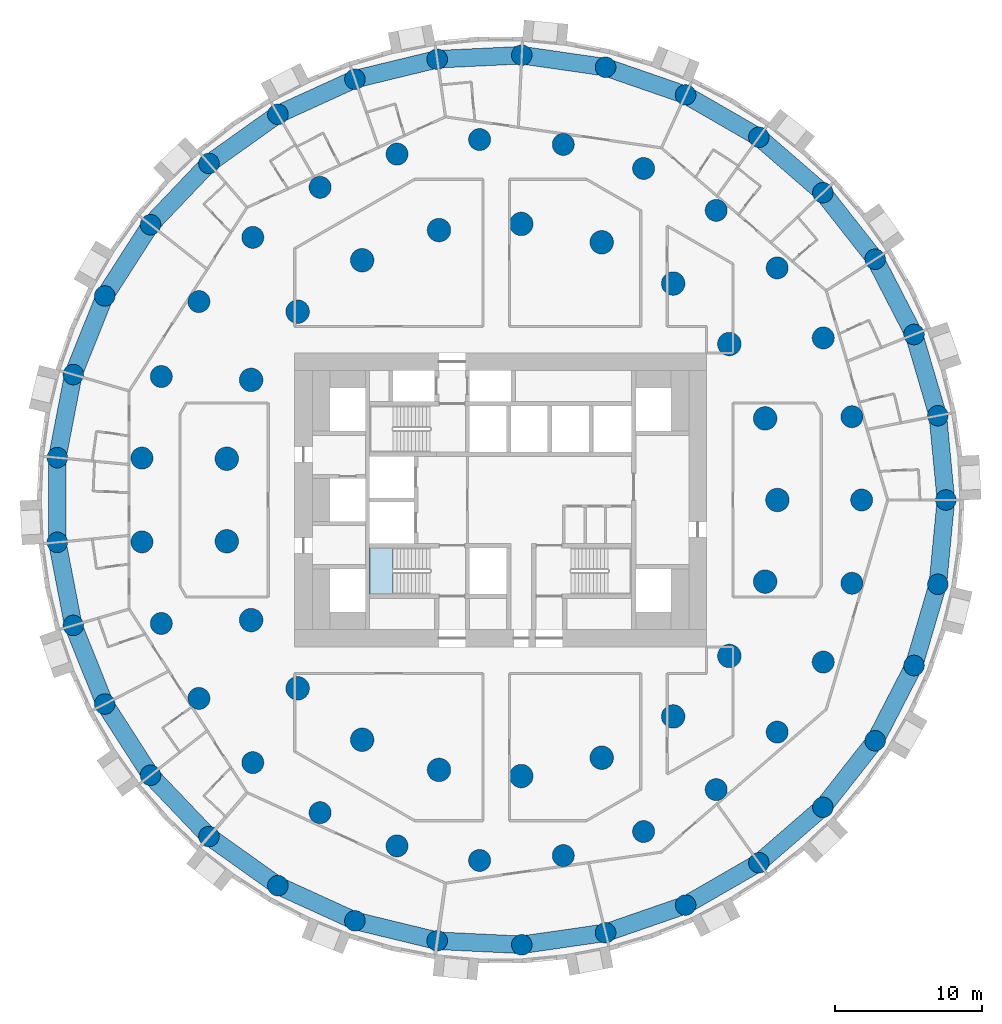
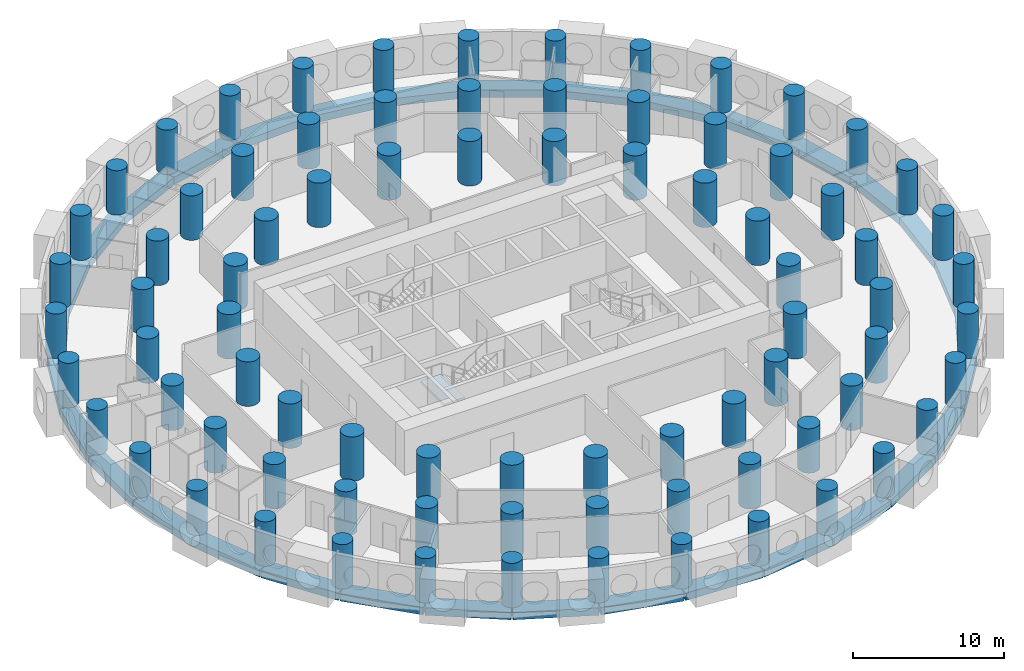
# One storey, part 1 of 12: 81 columns, 33 beams, 1 slab, 1 element without a shape of its own.
"""IFC4 building model written with IfcOpenShell, lengths in metres."""

from ifc_helpers import new_model, si_unit, direction, frame, origin, origin_2d, place, context, subcontext, project, spatial, polyline, rectangle, circle, outline, extrude, material, layer, layer_set, material_profile, profile_set, type_object, element, aggregate, save


model = new_model("IFC4")

# Units and contexts
model_context = context("Model", 3, precision=1e-05, world=origin(), true_north=direction((0.0, 1.0)))
body_context = subcontext(model_context, "Body", "Model", "MODEL_VIEW")
ifc_project = project(units=[si_unit("LENGTHUNIT", "METRE"), si_unit("AREAUNIT", "SQUARE_METRE"), si_unit("VOLUMEUNIT", "CUBIC_METRE"), si_unit("PLANEANGLEUNIT", "RADIAN"), si_unit("MASSUNIT", "GRAM", prefix="KILO")], contexts=[model_context])

# Site, building, storey
site_placement = place(None, origin())
site = spatial("IfcSite", under=ifc_project, at=site_placement, CompositionType="ELEMENT")
building_placement = place(site_placement, origin())
building = spatial("IfcBuilding", under=site, at=building_placement, Name="Tracery Tower", CompositionType="ELEMENT")
storey_placement = place(building_placement, frame((0.0, 0.0, 31.800048828125)))
storey = spatial("IfcBuildingStorey", under=building, at=storey_placement, Name="L06", CompositionType="ELEMENT", Elevation=31.800048828125)

# Columns
ifc_material_1 = material(Name="Concrete C60/75", Category="concrete")
ifc_material_profile_1 = material_profile(ifc_material_1, circle(Radius=0.699951171875, at=origin_2d()), Name="RC D1400")
ifc_profile_set_1 = profile_set([ifc_material_profile_1], Name="Concrete C60/75")
column_type_1 = type_object("IfcColumnType", Name="Ring 0 column 1400", PredefinedType="COLUMN", material=ifc_profile_set_1)
for number, where, z_axis, x_axis, name in (
    (1, (30.274658203125, 0.0, 0.0), (0.0, 0.0, 1.0), (1.0, 0.0, 0.0), "Ring 0 column 00 at L06"),
    (2, (29.7275390625, 5.7294921875, 0.0), (0.0, 0.0, 1.0), (1.0, 0.0, 0.0), "Ring 0 column 01 at L06"),
    (3, (28.10595703125, 11.251953125, 0.0), (0.0, 0.0, 1.0), (1.0, 0.0, 0.0), "Ring 0 column 02 at L06"),
    (4, (25.468505859375, 16.36767578125, 0.0), (0.0, 0.0, 1.0), (1.0, 0.0, 0.0), "Ring 0 column 03 at L06"),
    (5, (21.910888671875, 20.891845703125, 0.0), (0.0, 0.0, 1.0), (1.0, 0.0, 0.0), "Ring 0 column 04 at L06"),
    (6, (17.56103515625, 24.660888671875, 0.0), (0.0, 0.0, 1.0), (1.0, 0.0, 0.0), "Ring 0 column 05 at L06"),
    (7, (12.576416015625, 27.538818359375, 0.0), (0.0, 0.0, 1.0), (1.0, 0.0, 0.0), "Ring 0 column 06 at L06"),
    (8, (7.137451171875, 29.421142578125, 0.0), (0.0, 0.0, 1.0), (1.0, 0.0, 0.0), "Ring 0 column 07 at L06"),
    (9, (1.4404296875, 30.240234375, 0.0), (0.0, 0.0, 1.0), (1.0, 0.0, 0.0), "Ring 0 column 08 at L06"),
    (10, (-4.30859375, 29.96630859375, 0.0), (0.0, 0.0, 1.0), (1.0, 0.0, 0.0), "Ring 0 column 09 at L06"),
    (11, (-9.90185546875, 28.609619140625, 0.0), (0.0, 0.0, 1.0), (1.0, 0.0, 0.0), "Ring 0 column 10 at L06"),
    (12, (-15.13720703125, 26.218505859375, 0.0), (0.0, 0.0, 1.0), (1.0, 0.0, 0.0), "Ring 0 column 11 at L06"),
    (13, (-19.82568359375, 22.8798828125, 0.0), (0.0, 0.0, 1.0), (1.0, 0.0, 0.0), "Ring 0 column 12 at L06"),
    (14, (-23.79736328125, 18.714599609375, 0.0), (0.0, 0.0, 1.0), (1.0, 0.0, 0.0), "Ring 0 column 13 at L06"),
    (15, (-26.9091796875, 13.87255859375, 0.0), (0.0, 0.0, 1.0), (1.0, 0.0, 0.0), "Ring 0 column 14 at L06"),
    (16, (-29.04833984375, 8.529296875, 0.0), (0.0, 0.0, 1.0), (1.0, 0.0, 0.0), "Ring 0 column 15 at L06"),
    (17, (-30.137451171875, 2.877685546875, 0.0), (0.0, 0.0, 1.0), (1.0, 0.0, 0.0), "Ring 0 column 16 at L06"),
    (18, (-30.137451171875, -2.877685546875, 0.0), (0.0, 0.0, 1.0), (1.0, 0.0, 0.0), "Ring 0 column 17 at L06"),
    (19, (-29.04833984375, -8.529296875, 0.0), (0.0, 0.0, 1.0), (1.0, 0.0, 0.0), "Ring 0 column 18 at L06"),
    (20, (-26.9091796875, -13.87255859375, 0.0), (0.0, 0.0, 1.0), (1.0, 0.0, 0.0), "Ring 0 column 19 at L06"),
    (21, (-23.79736328125, -18.714599609375, 0.0), (0.0, 0.0, 1.0), (1.0, 0.0, 0.0), "Ring 0 column 20 at L06"),
    (22, (-19.82568359375, -22.8798828125, 0.0), (0.0, 0.0, 1.0), (1.0, 0.0, 0.0), "Ring 0 column 21 at L06"),
    (23, (-15.13720703125, -26.218505859375, 0.0), (0.0, 0.0, 1.0), (1.0, 0.0, 0.0), "Ring 0 column 22 at L06"),
    (24, (-9.90185546875, -28.609619140625, 0.0), (0.0, 0.0, 1.0), (1.0, 0.0, 0.0), "Ring 0 column 23 at L06"),
    (25, (-4.30859375, -29.96630859375, 0.0), (0.0, 0.0, 1.0), (1.0, 0.0, 0.0), "Ring 0 column 24 at L06"),
    (26, (1.4404296875, -30.240234375, 0.0), (0.0, 0.0, 1.0), (1.0, 0.0, 0.0), "Ring 0 column 25 at L06"),
    (27, (7.137451171875, -29.421142578125, 0.0), (0.0, 0.0, 1.0), (1.0, 0.0, 0.0), "Ring 0 column 26 at L06"),
    (28, (12.576416015625, -27.538818359375, 0.0), (0.0, 0.0, 1.0), (1.0, 0.0, 0.0), "Ring 0 column 27 at L06"),
    (29, (17.56103515625, -24.660888671875, 0.0), (0.0, 0.0, 1.0), (1.0, 0.0, 0.0), "Ring 0 column 28 at L06"),
    (30, (21.910888671875, -20.891845703125, 0.0), (0.0, 0.0, 1.0), (1.0, 0.0, 0.0), "Ring 0 column 29 at L06"),
    (31, (25.468505859375, -16.36767578125, 0.0), (0.0, 0.0, 1.0), (1.0, 0.0, 0.0), "Ring 0 column 30 at L06"),
    (32, (28.10595703125, -11.251953125, 0.0), (0.0, 0.0, 1.0), (1.0, 0.0, 0.0), "Ring 0 column 31 at L06"),
    (33, (29.7275390625, -5.7294921875, 0.0), (0.0, 0.0, 1.0), (1.0, 0.0, 0.0), "Ring 0 column 32 at L06"),
):
    element("IfcColumn", number, at=place(storey_placement, frame(where, z_axis=z_axis, x_axis=x_axis)), inside=storey, type_object=column_type_1, Name=name, PredefinedType="COLUMN", context=body_context, shape_type="SweptSolid", body=[
        extrude(circle(Radius=0.699951171875, at=origin_2d()), origin(), (0.0, 0.0, 1.0), 3.599853515625),
    ])
ifc_material_2 = material(Name="Concrete C60/75", Category="concrete")
ifc_material_profile_2 = material_profile(ifc_material_2, circle(Radius=0.75, at=origin_2d()), Name="RC D1500")
ifc_profile_set_2 = profile_set([ifc_material_profile_2], Name="Concrete C60/75")
column_type_2 = type_object("IfcColumnType", Name="Ring 1 column 1500", PredefinedType="COLUMN", material=ifc_profile_set_2)
for number, where, z_axis, x_axis, name in (
    (34, (24.547607421875, 0.0, 0.0), (0.0, 0.0, 1.0), (1.0, 0.0, 0.0), "Ring 1 column 00 at L06"),
    (35, (23.885986328125, 5.6611328125, 0.0), (0.0, 0.0, 1.0), (1.0, 0.0, 0.0), "Ring 1 column 01 at L06"),
    (36, (21.9365234375, 11.01708984375, 0.0), (0.0, 0.0, 1.0), (1.0, 0.0, 0.0), "Ring 1 column 02 at L06"),
    (37, (18.8046875, 15.779052734375, 0.0), (0.0, 0.0, 1.0), (1.0, 0.0, 0.0), "Ring 1 column 03 at L06"),
    (38, (14.658935546875, 19.690185546875, 0.0), (0.0, 0.0, 1.0), (1.0, 0.0, 0.0), "Ring 1 column 04 at L06"),
    (39, (9.722900390625, 22.5400390625, 0.0), (0.0, 0.0, 1.0), (1.0, 0.0, 0.0), "Ring 1 column 05 at L06"),
    (40, (4.2626953125, 24.1748046875, 0.0), (0.0, 0.0, 1.0), (1.0, 0.0, 0.0), "Ring 1 column 06 at L06"),
    (41, (-1.42724609375, 24.506103515625, 0.0), (0.0, 0.0, 1.0), (1.0, 0.0, 0.0), "Ring 1 column 07 at L06"),
    (42, (-7.040283203125, 23.516357421875, 0.0), (0.0, 0.0, 1.0), (1.0, 0.0, 0.0), "Ring 1 column 08 at L06"),
    (43, (-12.273681640625, 21.2587890625, 0.0), (0.0, 0.0, 1.0), (1.0, 0.0, 0.0), "Ring 1 column 09 at L06"),
    (44, (-16.845703125, 17.855224609375, 0.0), (0.0, 0.0, 1.0), (1.0, 0.0, 0.0), "Ring 1 column 10 at L06"),
    (45, (-20.50927734375, 13.4892578125, 0.0), (0.0, 0.0, 1.0), (1.0, 0.0, 0.0), "Ring 1 column 11 at L06"),
    (46, (-23.0673828125, 8.395751953125, 0.0), (0.0, 0.0, 1.0), (1.0, 0.0, 0.0), "Ring 1 column 12 at L06"),
    (47, (-24.381591796875, 2.849853515625, 0.0), (0.0, 0.0, 1.0), (1.0, 0.0, 0.0), "Ring 1 column 13 at L06"),
    (48, (-24.381591796875, -2.849853515625, 0.0), (0.0, 0.0, 1.0), (1.0, 0.0, 0.0), "Ring 1 column 14 at L06"),
    (49, (-23.0673828125, -8.395751953125, 0.0), (0.0, 0.0, 1.0), (1.0, 0.0, 0.0), "Ring 1 column 15 at L06"),
    (50, (-20.50927734375, -13.4892578125, 0.0), (0.0, 0.0, 1.0), (1.0, 0.0, 0.0), "Ring 1 column 16 at L06"),
    (51, (-16.845703125, -17.85546875, 0.0), (0.0, 0.0, 1.0), (1.0, 0.0, 0.0), "Ring 1 column 17 at L06"),
    (52, (-12.27392578125, -21.2587890625, 0.0), (0.0, 0.0, 1.0), (1.0, 0.0, 0.0), "Ring 1 column 18 at L06"),
    (53, (-7.040283203125, -23.516357421875, 0.0), (0.0, 0.0, 1.0), (1.0, 0.0, 0.0), "Ring 1 column 19 at L06"),
    (54, (-1.42724609375, -24.506103515625, 0.0), (0.0, 0.0, 1.0), (1.0, 0.0, 0.0), "Ring 1 column 20 at L06"),
    (55, (4.2626953125, -24.1748046875, 0.0), (0.0, 0.0, 1.0), (1.0, 0.0, 0.0), "Ring 1 column 21 at L06"),
    (56, (9.722900390625, -22.5400390625, 0.0), (0.0, 0.0, 1.0), (1.0, 0.0, 0.0), "Ring 1 column 22 at L06"),
    (57, (14.658935546875, -19.690185546875, 0.0), (0.0, 0.0, 1.0), (1.0, 0.0, 0.0), "Ring 1 column 23 at L06"),
    (58, (18.8046875, -15.779052734375, 0.0), (0.0, 0.0, 1.0), (1.0, 0.0, 0.0), "Ring 1 column 24 at L06"),
    (59, (21.9365234375, -11.01708984375, 0.0), (0.0, 0.0, 1.0), (1.0, 0.0, 0.0), "Ring 1 column 25 at L06"),
    (60, (23.885986328125, -5.6611328125, 0.0), (0.0, 0.0, 1.0), (1.0, 0.0, 0.0), "Ring 1 column 26 at L06"),
):
    element("IfcColumn", number, at=place(storey_placement, frame(where, z_axis=z_axis, x_axis=x_axis)), inside=storey, type_object=column_type_2, Name=name, PredefinedType="COLUMN", context=body_context, shape_type="SweptSolid", body=[
        extrude(circle(Radius=0.75, at=origin_2d()), origin(), (0.0, 0.0, 1.0), 3.599853515625),
    ])
ifc_material_3 = material(Name="Concrete C60/75", Category="concrete")
ifc_material_profile_3 = material_profile(ifc_material_3, circle(Radius=0.800048828125, at=origin_2d()), Name="RC D1600")
ifc_profile_set_3 = profile_set([ifc_material_profile_3], Name="Concrete C60/75")
column_type_3 = type_object("IfcColumnType", Name="Ring 2 column 1600", PredefinedType="COLUMN", material=ifc_profile_set_3)
for number, where, z_axis, x_axis, name in (
    (61, (18.822265625, 0.0, 0.0), (0.0, 0.0, 1.0), (1.0, 0.0, 0.0), "Ring 2 column 00 at L06"),
    (62, (17.986083984375, 5.5478515625, 0.0), (0.0, 0.0, 1.0), (1.0, 0.0, 0.0), "Ring 2 column 01 at L06"),
    (63, (15.551513671875, 10.602783203125, 0.0), (0.0, 0.0, 1.0), (1.0, 0.0, 0.0), "Ring 2 column 02 at L06"),
    (64, (11.7353515625, 14.7158203125, 0.0), (0.0, 0.0, 1.0), (1.0, 0.0, 0.0), "Ring 2 column 03 at L06"),
    (65, (6.87646484375, 17.52099609375, 0.0), (0.0, 0.0, 1.0), (1.0, 0.0, 0.0), "Ring 2 column 04 at L06"),
    (66, (1.406494140625, 18.76953125, 0.0), (0.0, 0.0, 1.0), (1.0, 0.0, 0.0), "Ring 2 column 05 at L06"),
    (67, (-4.188232421875, 18.350341796875, 0.0), (0.0, 0.0, 1.0), (1.0, 0.0, 0.0), "Ring 2 column 06 at L06"),
    (68, (-9.4111328125, 16.300537109375, 0.0), (0.0, 0.0, 1.0), (1.0, 0.0, 0.0), "Ring 2 column 07 at L06"),
    (69, (-13.797607421875, 12.802490234375, 0.0), (0.0, 0.0, 1.0), (1.0, 0.0, 0.0), "Ring 2 column 08 at L06"),
    (70, (-16.958251953125, 8.16650390625, 0.0), (0.0, 0.0, 1.0), (1.0, 0.0, 0.0), "Ring 2 column 09 at L06"),
    (71, (-18.612060546875, 2.805419921875, 0.0), (0.0, 0.0, 1.0), (1.0, 0.0, 0.0), "Ring 2 column 10 at L06"),
    (72, (-18.612060546875, -2.805419921875, 0.0), (0.0, 0.0, 1.0), (1.0, 0.0, 0.0), "Ring 2 column 11 at L06"),
    (73, (-16.958251953125, -8.166748046875, 0.0), (0.0, 0.0, 1.0), (1.0, 0.0, 0.0), "Ring 2 column 12 at L06"),
    (74, (-13.797607421875, -12.80224609375, 0.0), (0.0, 0.0, 1.0), (1.0, 0.0, 0.0), "Ring 2 column 13 at L06"),
    (75, (-9.4111328125, -16.300537109375, 0.0), (0.0, 0.0, 1.0), (1.0, 0.0, 0.0), "Ring 2 column 14 at L06"),
    (76, (-4.188232421875, -18.350341796875, 0.0), (0.0, 0.0, 1.0), (1.0, 0.0, 0.0), "Ring 2 column 15 at L06"),
    (77, (1.406494140625, -18.76953125, 0.0), (0.0, 0.0, 1.0), (1.0, 0.0, 0.0), "Ring 2 column 16 at L06"),
    (78, (6.87646484375, -17.52099609375, 0.0), (0.0, 0.0, 1.0), (1.0, 0.0, 0.0), "Ring 2 column 17 at L06"),
    (79, (11.7353515625, -14.7158203125, 0.0), (0.0, 0.0, 1.0), (1.0, 0.0, 0.0), "Ring 2 column 18 at L06"),
    (80, (15.551513671875, -10.602783203125, 0.0), (0.0, 0.0, 1.0), (1.0, 0.0, 0.0), "Ring 2 column 19 at L06"),
    (81, (17.986083984375, -5.5478515625, 0.0), (0.0, 0.0, 1.0), (1.0, 0.0, 0.0), "Ring 2 column 20 at L06"),
):
    element("IfcColumn", number, at=place(storey_placement, frame(where, z_axis=z_axis, x_axis=x_axis)), inside=storey, type_object=column_type_3, Name=name, PredefinedType="COLUMN", context=body_context, shape_type="SweptSolid", body=[
        extrude(circle(Radius=0.800048828125, at=origin_2d()), origin(), (0.0, 0.0, 1.0), 3.599853515625),
    ])

# Beams
ifc_material_4 = material(Name="Concrete C60/75", Category="concrete")
ifc_material_profile_4 = material_profile(ifc_material_4, rectangle(XDim=1.199951171875, YDim=0.60009765625, at=origin_2d()), Name="RC 1200x600")
ifc_profile_set_4 = profile_set([ifc_material_profile_4], Name="Concrete C60/75")
beam_type = type_object("IfcBeamType", Name="Perimeter band beam 1200x600", PredefinedType="BEAM", material=ifc_profile_set_4)
for number, where, z_axis, x_axis, name in (
    (82, (30.274658203125, 0.0, -0.75), (-0.095059309677, 0.995471610667, 0.0), (-0.995471610667, -0.095059309677, 0.0), "Perimeter beam 0.00 under L06"),
    (83, (29.7275390625, 5.7294921875, -0.75), (-0.281739145896, 0.959491038869, 0.0), (-0.959491038869, -0.281739145896, 0.0), "Perimeter beam 0.01 under L06"),
    (84, (28.10595703125, 11.251953125, -0.75), (-0.458242010493, 0.88882746347, 0.0), (-0.88882746347, -0.458242010493, 0.0), "Perimeter beam 0.02 under L06"),
):
    element("IfcBeam", number, at=place(storey_placement, frame(where, z_axis=z_axis, x_axis=x_axis)), inside=storey, type_object=beam_type, Name=name, PredefinedType="BEAM", context=body_context, shape_type="SweptSolid", body=[
        extrude(rectangle(XDim=1.199951171875, YDim=0.60009765625, at=origin_2d()), origin(), (0.0, 0.0, 1.0), 5.755615234375),
    ])
beam_1_placement = place(storey_placement, frame((25.468505859375, 16.36767578125, -0.75), z_axis=(-0.618134362257, 0.786072458618, 0.0), x_axis=(-0.786072458618, -0.618134362257, 0.0)))
element("IfcBeam", 85, at=beam_1_placement, inside=storey, type_object=beam_type, Name="Perimeter beam 0.03 under L06", PredefinedType="BEAM", context=body_context, shape_type="SweptSolid", body=[
    extrude(rectangle(XDim=1.199951171875, YDim=0.60009765625, at=origin_2d()), origin(), (0.0, 0.0, 1.0), 5.75537109375),
])
beam_2_placement = place(storey_placement, frame((21.910888671875, 20.891845703125, -0.75), z_axis=(-0.755760456715, 0.65484817482, 0.0), x_axis=(-0.65484817482, -0.755760456715, 0.0)))
element("IfcBeam", 86, at=beam_2_placement, inside=storey, type_object=beam_type, Name="Perimeter beam 0.04 under L06", PredefinedType="BEAM", context=body_context, shape_type="SweptSolid", body=[
    extrude(rectangle(XDim=1.199951171875, YDim=0.60009765625, at=origin_2d()), origin(), (0.0, 0.0, 1.0), 5.755615234375),
])
beam_3_placement = place(storey_placement, frame((17.56103515625, 24.660888671875, -0.75), z_axis=(-0.866021003874, 0.50000762079, 0.0), x_axis=(-0.50000762079, -0.866021003874, 0.0)))
element("IfcBeam", 87, at=beam_3_placement, inside=storey, type_object=beam_type, Name="Perimeter beam 0.05 under L06", PredefinedType="BEAM", context=body_context, shape_type="SweptSolid", body=[
    extrude(rectangle(XDim=1.199951171875, YDim=0.60009765625, at=origin_2d()), origin(), (0.0, 0.0, 1.0), 5.755859375),
])
beam_4_placement = place(storey_placement, frame((12.576416015625, 27.538818359375, -0.75), z_axis=(-0.945007252869, 0.327049372458, 0.0), x_axis=(-0.327049372458, -0.945007252869, 0.0)))
element("IfcBeam", 88, at=beam_4_placement, inside=storey, type_object=beam_type, Name="Perimeter beam 0.06 under L06", PredefinedType="BEAM", context=body_context, shape_type="SweptSolid", body=[
    extrude(rectangle(XDim=1.199951171875, YDim=0.60009765625, at=origin_2d()), origin(), (0.0, 0.0, 1.0), 5.75537109375),
])
for number, where, z_axis, x_axis, name in (
    (89, (7.137451171875, 29.421142578125, -0.75), (-0.989821839174, 0.142312075013, 0.0), (-0.142312075013, -0.989821839174, 0.0), "Perimeter beam 0.07 under L06"),
    (90, (1.4404296875, 30.240234375, -0.75), (-0.998866793759, -0.047593364303, 0.0), (0.047593364303, -0.998866793759, 0.0), "Perimeter beam 0.08 under L06"),
):
    element("IfcBeam", number, at=place(storey_placement, frame(where, z_axis=z_axis, x_axis=x_axis)), inside=storey, type_object=beam_type, Name=name, PredefinedType="BEAM", context=body_context, shape_type="SweptSolid", body=[
        extrude(rectangle(XDim=1.199951171875, YDim=0.60009765625, at=origin_2d()), origin(), (0.0, 0.0, 1.0), 5.755615234375),
    ])
beam_5_placement = place(storey_placement, frame((-4.30859375, 29.96630859375, -0.75), z_axis=(-0.971820371509, -0.235722645328, 0.0), x_axis=(0.235722645328, -0.971820371509, 0.0)))
element("IfcBeam", 91, at=beam_5_placement, inside=storey, type_object=beam_type, Name="Perimeter beam 0.09 under L06", PredefinedType="BEAM", context=body_context, shape_type="SweptSolid", body=[
    extrude(rectangle(XDim=1.199951171875, YDim=0.60009765625, at=origin_2d()), origin(), (0.0, 0.0, 1.0), 5.75537109375),
])
for number, where, z_axis, x_axis, name in (
    (92, (-9.90185546875, 28.609619140625, -0.75), (-0.909618316865, -0.415444963411, 0.0), (0.415444963411, -0.909618316865, 0.0), "Perimeter beam 0.10 under L06"),
    (93, (-15.13720703125, 26.218505859375, -0.75), (-0.8145780864, -0.580053912285, 0.0), (0.580053912285, -0.8145780864, 0.0), "Perimeter beam 0.11 under L06"),
):
    element("IfcBeam", number, at=place(storey_placement, frame(where, z_axis=z_axis, x_axis=x_axis)), inside=storey, type_object=beam_type, Name=name, PredefinedType="BEAM", context=body_context, shape_type="SweptSolid", body=[
        extrude(rectangle(XDim=1.199951171875, YDim=0.60009765625, at=origin_2d()), origin(), (0.0, 0.0, 1.0), 5.755615234375),
    ])
beam_6_placement = place(storey_placement, frame((-19.82568359375, 22.8798828125, -0.75), z_axis=(-0.690087218267, -0.723726212863, 0.0), x_axis=(0.723726212863, -0.690087218267, 0.0)))
element("IfcBeam", 94, at=beam_6_placement, inside=storey, type_object=beam_type, Name="Perimeter beam 0.12 under L06", PredefinedType="BEAM", context=body_context, shape_type="SweptSolid", body=[
    extrude(rectangle(XDim=1.199951171875, YDim=0.60009765625, at=origin_2d()), origin(), (0.0, 0.0, 1.0), 5.75537109375),
])
beam_7_placement = place(storey_placement, frame((-23.79736328125, 18.714599609375, -0.75), z_axis=(-0.540643964602, -0.841251510274, 0.0), x_axis=(0.841251510274, -0.540643964602, 0.0)))
element("IfcBeam", 95, at=beam_7_placement, inside=storey, type_object=beam_type, Name="Perimeter beam 0.13 under L06", PredefinedType="BEAM", context=body_context, shape_type="SweptSolid", body=[
    extrude(rectangle(XDim=1.199951171875, YDim=0.60009765625, at=origin_2d()), origin(), (0.0, 0.0, 1.0), 5.755859375),
])
for number, where, z_axis, x_axis, name in (
    (96, (-26.9091796875, 13.87255859375, -0.75), (-0.371668572289, -0.928365484264, 0.0), (0.928365484264, -0.371668572289, 0.0), "Perimeter beam 0.14 under L06"),
    (97, (-29.04833984375, 8.529296875, -0.75), (-0.189226539295, -0.981933458451, 0.0), (0.981933458451, -0.189226539295, 0.0), "Perimeter beam 0.15 under L06"),
):
    element("IfcBeam", number, at=place(storey_placement, frame(where, z_axis=z_axis, x_axis=x_axis)), inside=storey, type_object=beam_type, Name=name, PredefinedType="BEAM", context=body_context, shape_type="SweptSolid", body=[
        extrude(rectangle(XDim=1.199951171875, YDim=0.60009765625, at=origin_2d()), origin(), (0.0, 0.0, 1.0), 5.755615234375),
    ])
beam_8_placement = place(storey_placement, frame((-30.137451171875, 2.877685546875, -0.75), z_axis=(0.0, -1.0, 0.0), x_axis=(1.0, 0.0, 0.0)))
element("IfcBeam", 98, at=beam_8_placement, inside=storey, type_object=beam_type, Name="Perimeter beam 0.16 under L06", PredefinedType="BEAM", context=body_context, shape_type="SweptSolid", body=[
    extrude(rectangle(XDim=1.199951171875, YDim=0.60009765625, at=origin_2d()), origin(), (0.0, 0.0, 1.0), 5.75537109375),
])
for number, where, z_axis, x_axis, name in (
    (99, (-30.137451171875, -2.877685546875, -0.75), (0.189226539295, -0.981933458451, 0.0), (0.981933458451, 0.189226539295, 0.0), "Perimeter beam 0.17 under L06"),
    (100, (-29.04833984375, -8.529296875, -0.75), (0.371668572289, -0.928365484264, 0.0), (0.928365484264, 0.371668572289, 0.0), "Perimeter beam 0.18 under L06"),
):
    element("IfcBeam", number, at=place(storey_placement, frame(where, z_axis=z_axis, x_axis=x_axis)), inside=storey, type_object=beam_type, Name=name, PredefinedType="BEAM", context=body_context, shape_type="SweptSolid", body=[
        extrude(rectangle(XDim=1.199951171875, YDim=0.60009765625, at=origin_2d()), origin(), (0.0, 0.0, 1.0), 5.755615234375),
    ])
beam_9_placement = place(storey_placement, frame((-26.9091796875, -13.87255859375, -0.75), z_axis=(0.540643964602, -0.841251510274, 0.0), x_axis=(0.841251510274, 0.540643964602, 0.0)))
element("IfcBeam", 101, at=beam_9_placement, inside=storey, type_object=beam_type, Name="Perimeter beam 0.19 under L06", PredefinedType="BEAM", context=body_context, shape_type="SweptSolid", body=[
    extrude(rectangle(XDim=1.199951171875, YDim=0.60009765625, at=origin_2d()), origin(), (0.0, 0.0, 1.0), 5.755859375),
])
beam_10_placement = place(storey_placement, frame((-23.79736328125, -18.714599609375, -0.75), z_axis=(0.690087218267, -0.723726212863, 0.0), x_axis=(0.723726212863, 0.690087218267, 0.0)))
element("IfcBeam", 102, at=beam_10_placement, inside=storey, type_object=beam_type, Name="Perimeter beam 0.20 under L06", PredefinedType="BEAM", context=body_context, shape_type="SweptSolid", body=[
    extrude(rectangle(XDim=1.199951171875, YDim=0.60009765625, at=origin_2d()), origin(), (0.0, 0.0, 1.0), 5.75537109375),
])
for number, where, z_axis, x_axis, name in (
    (103, (-19.82568359375, -22.8798828125, -0.75), (0.8145780864, -0.580053912285, 0.0), (0.580053912285, 0.8145780864, 0.0), "Perimeter beam 0.21 under L06"),
    (104, (-15.13720703125, -26.218505859375, -0.75), (0.909618316865, -0.415444963411, 0.0), (0.415444963411, 0.909618316865, 0.0), "Perimeter beam 0.22 under L06"),
):
    element("IfcBeam", number, at=place(storey_placement, frame(where, z_axis=z_axis, x_axis=x_axis)), inside=storey, type_object=beam_type, Name=name, PredefinedType="BEAM", context=body_context, shape_type="SweptSolid", body=[
        extrude(rectangle(XDim=1.199951171875, YDim=0.60009765625, at=origin_2d()), origin(), (0.0, 0.0, 1.0), 5.755615234375),
    ])
beam_11_placement = place(storey_placement, frame((-9.90185546875, -28.609619140625, -0.75), z_axis=(0.971820371509, -0.235722645328, 0.0), x_axis=(0.235722645328, 0.971820371509, 0.0)))
element("IfcBeam", 105, at=beam_11_placement, inside=storey, type_object=beam_type, Name="Perimeter beam 0.23 under L06", PredefinedType="BEAM", context=body_context, shape_type="SweptSolid", body=[
    extrude(rectangle(XDim=1.199951171875, YDim=0.60009765625, at=origin_2d()), origin(), (0.0, 0.0, 1.0), 5.75537109375),
])
for number, where, z_axis, x_axis, name in (
    (106, (-4.30859375, -29.96630859375, -0.75), (0.998866793759, -0.047593364303, 0.0), (0.047593364303, 0.998866793759, 0.0), "Perimeter beam 0.24 under L06"),
    (107, (1.4404296875, -30.240234375, -0.75), (0.989821839174, 0.142312075013, 0.0), (-0.142312075013, 0.989821839174, 0.0), "Perimeter beam 0.25 under L06"),
):
    element("IfcBeam", number, at=place(storey_placement, frame(where, z_axis=z_axis, x_axis=x_axis)), inside=storey, type_object=beam_type, Name=name, PredefinedType="BEAM", context=body_context, shape_type="SweptSolid", body=[
        extrude(rectangle(XDim=1.199951171875, YDim=0.60009765625, at=origin_2d()), origin(), (0.0, 0.0, 1.0), 5.755615234375),
    ])
beam_12_placement = place(storey_placement, frame((7.137451171875, -29.421142578125, -0.75), z_axis=(0.945007252869, 0.327049372458, 0.0), x_axis=(-0.327049372458, 0.945007252869, 0.0)))
element("IfcBeam", 108, at=beam_12_placement, inside=storey, type_object=beam_type, Name="Perimeter beam 0.26 under L06", PredefinedType="BEAM", context=body_context, shape_type="SweptSolid", body=[
    extrude(rectangle(XDim=1.199951171875, YDim=0.60009765625, at=origin_2d()), origin(), (0.0, 0.0, 1.0), 5.75537109375),
])
beam_13_placement = place(storey_placement, frame((12.576416015625, -27.538818359375, -0.75), z_axis=(0.866021003874, 0.50000762079, 0.0), x_axis=(-0.50000762079, 0.866021003874, 0.0)))
element("IfcBeam", 109, at=beam_13_placement, inside=storey, type_object=beam_type, Name="Perimeter beam 0.27 under L06", PredefinedType="BEAM", context=body_context, shape_type="SweptSolid", body=[
    extrude(rectangle(XDim=1.199951171875, YDim=0.60009765625, at=origin_2d()), origin(), (0.0, 0.0, 1.0), 5.755859375),
])
beam_14_placement = place(storey_placement, frame((17.56103515625, -24.660888671875, -0.75), z_axis=(0.755760456715, 0.65484817482, 0.0), x_axis=(-0.65484817482, 0.755760456715, 0.0)))
element("IfcBeam", 110, at=beam_14_placement, inside=storey, type_object=beam_type, Name="Perimeter beam 0.28 under L06", PredefinedType="BEAM", context=body_context, shape_type="SweptSolid", body=[
    extrude(rectangle(XDim=1.199951171875, YDim=0.60009765625, at=origin_2d()), origin(), (0.0, 0.0, 1.0), 5.755615234375),
])
beam_15_placement = place(storey_placement, frame((21.910888671875, -20.891845703125, -0.75), z_axis=(0.618134362257, 0.786072458618, 0.0), x_axis=(-0.786072458618, 0.618134362257, 0.0)))
element("IfcBeam", 111, at=beam_15_placement, inside=storey, type_object=beam_type, Name="Perimeter beam 0.29 under L06", PredefinedType="BEAM", context=body_context, shape_type="SweptSolid", body=[
    extrude(rectangle(XDim=1.199951171875, YDim=0.60009765625, at=origin_2d()), origin(), (0.0, 0.0, 1.0), 5.75537109375),
])
for number, where, z_axis, x_axis, name in (
    (112, (25.468505859375, -16.36767578125, -0.75), (0.458242010493, 0.88882746347, 0.0), (-0.88882746347, 0.458242010493, 0.0), "Perimeter beam 0.30 under L06"),
    (113, (28.10595703125, -11.251953125, -0.75), (0.281739145896, 0.959491038869, 0.0), (-0.959491038869, 0.281739145896, 0.0), "Perimeter beam 0.31 under L06"),
    (114, (29.7275390625, -5.7294921875, -0.75), (0.095059309677, 0.995471610667, 0.0), (-0.995471610667, 0.095059309677, 0.0), "Perimeter beam 0.32 under L06"),
):
    element("IfcBeam", number, at=place(storey_placement, frame(where, z_axis=z_axis, x_axis=x_axis)), inside=storey, type_object=beam_type, Name=name, PredefinedType="BEAM", context=body_context, shape_type="SweptSolid", body=[
        extrude(rectangle(XDim=1.199951171875, YDim=0.60009765625, at=origin_2d()), origin(), (0.0, 0.0, 1.0), 5.755615234375),
    ])

# Stair, slab
ifc_material_5 = material(Name="Concrete C32/40", Category="concrete")
stair_type = type_object("IfcStairType", Name="Core stair 22 risers", PredefinedType="HALF_TURN_STAIR", material=ifc_material_5)
stair_placement = place(storey_placement, origin())
stair = element("IfcStair", 115, at=stair_placement, inside=storey, type_object=stair_type, Name="L06 stair ST1", PredefinedType="HALF_TURN_STAIR")
ifc_material_6 = material(Name="Concrete C32/40", Category="concrete")
ifc_layer = layer(ifc_material_6, 0.199951171875)
ifc_layer_set = layer_set([ifc_layer], Name="Stair landing slab 200")
slab_type = type_object("IfcSlabType", Name="Stair landing slab 200", PredefinedType="LANDING", material=ifc_layer_set)
slab_placement = place(storey_placement, frame((0.0, 0.0, 1.599853515625)))
slab = element("IfcSlab", 116, at=slab_placement, type_object=slab_type, Name="ST1 landing 1", PredefinedType="LANDING", context=body_context, shape_type="SweptSolid", body=[
    extrude(outline(polyline([(-7.29931640625, -3.25), (-8.89990234375, -3.25), (-8.89990234375, -6.39990234375), (-7.29931640625, -6.39990234375), (-7.29931640625, -3.25)])), origin(), (0.0, 0.0, 1.0), 0.2001953125),
])
aggregate(stair, [slab])

save(model, "model.ifc")
